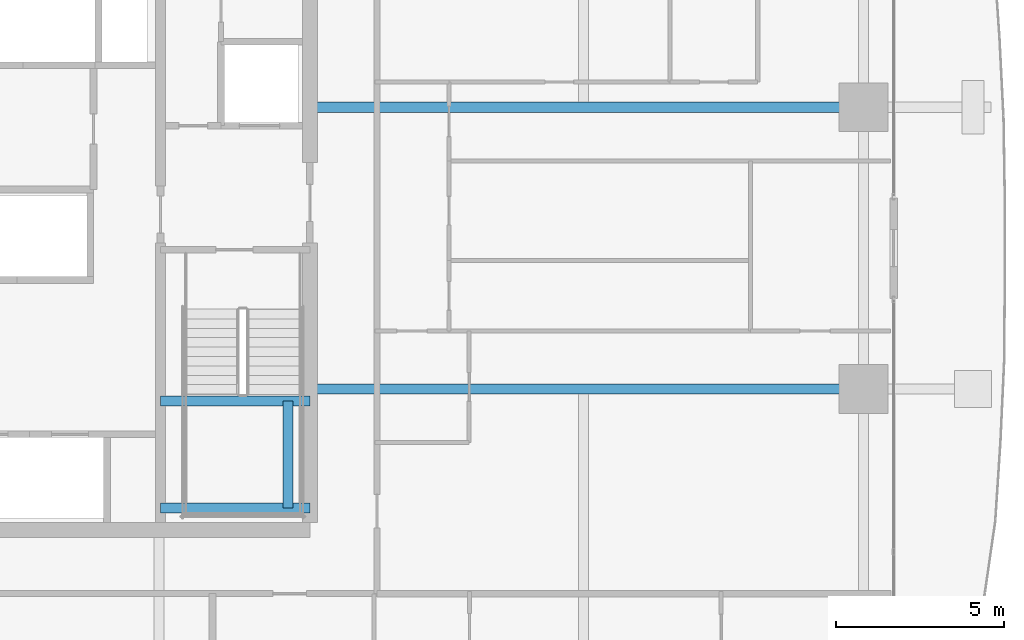
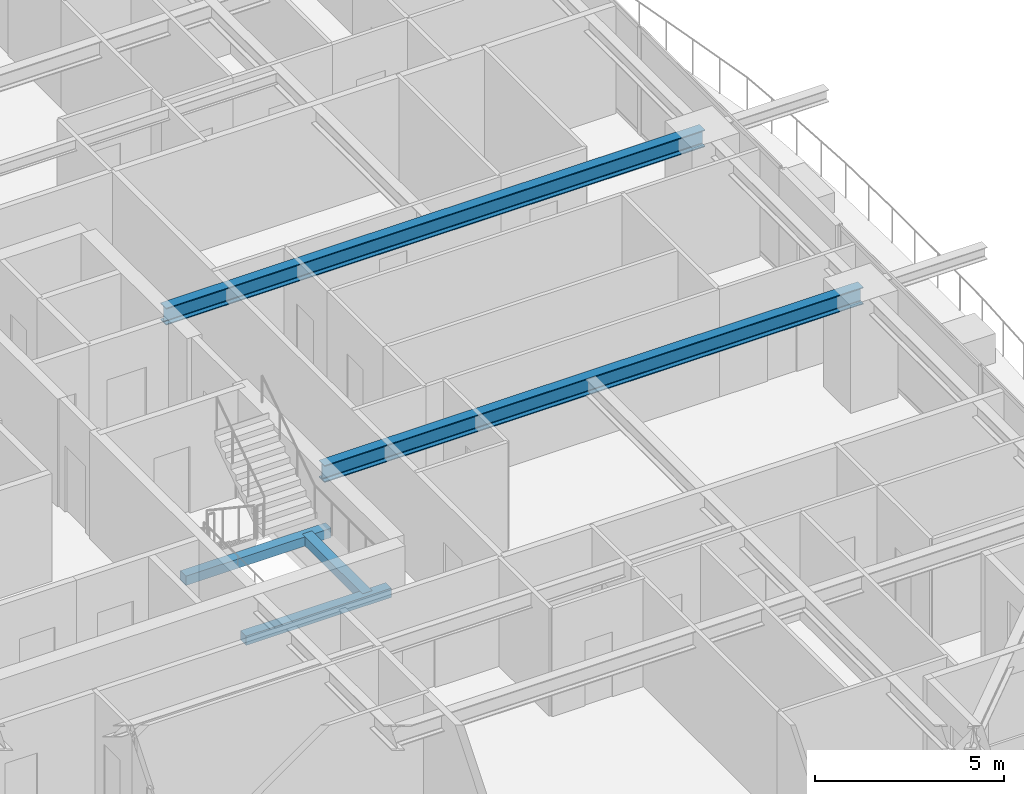
# One storey, part 13 of 37: 5 beams.
"""IFC4 building model written with IfcOpenShell, lengths in metres."""

from ifc_helpers import new_model, si_unit, direction, frame, origin, origin_2d, place, context, subcontext, project, spatial, rectangle, i_section, extrude, source, transform, mapped, material, material_profile, profile_set, type_object, element, save


model = new_model("IFC4")

# Units and contexts
model_context = context("Model", 3, precision=1e-05, world=origin(), true_north=direction((0.0, 1.0)))
body_context = subcontext(model_context, "Body", "Model", "MODEL_VIEW")
ifc_project = project(units=[si_unit("LENGTHUNIT", "METRE"), si_unit("AREAUNIT", "SQUARE_METRE"), si_unit("VOLUMEUNIT", "CUBIC_METRE"), si_unit("PLANEANGLEUNIT", "RADIAN"), si_unit("MASSUNIT", "GRAM", prefix="KILO")], contexts=[model_context])

# Site, building, storey
site_placement = place(None, origin())
site = spatial("IfcSite", under=ifc_project, at=site_placement, CompositionType="ELEMENT")
building_placement = place(site_placement, origin())
building = spatial("IfcBuilding", under=site, at=building_placement, Name="Serunith Strait Residences", CompositionType="ELEMENT")
storey_placement = place(building_placement, frame((0.0, 0.0, 34.199951171875)))
storey = spatial("IfcBuildingStorey", under=building, at=storey_placement, Name="L07", CompositionType="ELEMENT", Elevation=34.199951171875)

# Beams
ifc_material_1 = material(Name="Steel S355J2", Category="steel")
ifc_material_profile_1 = material_profile(ifc_material_1, i_section(OverallWidth=0.300048828125, OverallDepth=0.550048828125, WebThickness=0.014892578125, FlangeThickness=0.029052734375, FilletRadius=0.027099609375, at=origin_2d()), Name="HEB 550")
ifc_profile_set_1 = profile_set([ifc_material_profile_1], Name="Steel S355J2")
beam_type_1 = type_object("IfcBeamType", Name="BM-HEB550", PredefinedType="BEAM", material=ifc_profile_set_1)
shared_shape_1 = source(origin(), body_context, "Body", "SweptSolid", [
    extrude(i_section(OverallWidth=0.300048828125, OverallDepth=0.550048828125, WebThickness=0.014892578125, FlangeThickness=0.029052734375, FilletRadius=0.027099609375, at=origin_2d()), origin(), (0.0, 0.0, 1.0), 16.5),
])
for number, where, z_axis, x_axis, name in (
    (1, (41.39990234375, 21.0, 3.212158203125), (1.0, 0.0, 0.0), (0.0, 1.0, 0.0), "L07 Primary Floor Girder TC-E2"),
    (2, (41.39990234375, 29.39990234375, 3.212158203125), (1.0, 0.0, 0.0), (0.0, 1.0, 0.0), "L07 Primary Floor Girder TC-E3"),
):
    element("IfcBeam", number, at=place(storey_placement, frame(where, z_axis=z_axis, x_axis=x_axis)), inside=storey, type_object=beam_type_1, Name=name, PredefinedType="BEAM", context=body_context, shape_type="MappedRepresentation", body=[
        mapped(shared_shape_1, transform((0.0, 0.0, 0.0), scale=1.0)),
    ])
ifc_material_2 = material(Name="Concrete C60/75", Category="concrete")
ifc_material_profile_2 = material_profile(ifc_material_2, rectangle(XDim=0.300048828125, YDim=0.300048828125, at=origin_2d()), Name="RC 300x300")
ifc_profile_set_2 = profile_set([ifc_material_profile_2], Name="Concrete C60/75")
beam_type_2 = type_object("IfcBeamType", Name="BM-LAND-300x300", PredefinedType="BEAM", material=ifc_profile_set_2)
shared_shape_2 = source(origin(), body_context, "Body", "SweptSolid", [
    extrude(rectangle(XDim=0.300048828125, YDim=0.300048828125, at=origin_2d()), origin(), (0.0, 0.0, 1.0), 3.199951171875),
])
beam_placement = place(storey_placement, frame((40.75, 17.449951171875, 1.525146484375), z_axis=(0.0, 1.0, 0.0), x_axis=(-1.0, 0.0, 0.0)))
element("IfcBeam", 3, at=beam_placement, inside=storey, type_object=beam_type_2, Name="L07 ST-2 Landing Transverse Tie Beam", PredefinedType="BEAM", context=body_context, shape_type="MappedRepresentation", body=[
    mapped(shared_shape_2, transform((0.0, 0.0, 0.0), scale=1.0)),
])
shared_shape_3 = source(origin(), body_context, "Body", "SweptSolid", [
    extrude(rectangle(XDim=0.300048828125, YDim=0.300048828125, at=origin_2d()), origin(), (0.0, 0.0, 1.0), 4.449951171875),
])
for number, where, z_axis, x_axis, name in (
    (4, (36.949951171875, 17.449951171875, 1.525146484375), (1.0, 0.0, 0.0), (0.0, 1.0, 0.0), "L07 ST-2 Landing Support Beam 1"),
    (5, (36.949951171875, 20.64990234375, 1.525146484375), (1.0, 0.0, 0.0), (0.0, 1.0, 0.0), "L07 ST-2 Landing Support Beam 2"),
):
    element("IfcBeam", number, at=place(storey_placement, frame(where, z_axis=z_axis, x_axis=x_axis)), inside=storey, type_object=beam_type_2, Name=name, PredefinedType="BEAM", context=body_context, shape_type="MappedRepresentation", body=[
        mapped(shared_shape_3, transform((0.0, 0.0, 0.0), scale=1.0)),
    ])

save(model, "model.ifc")
